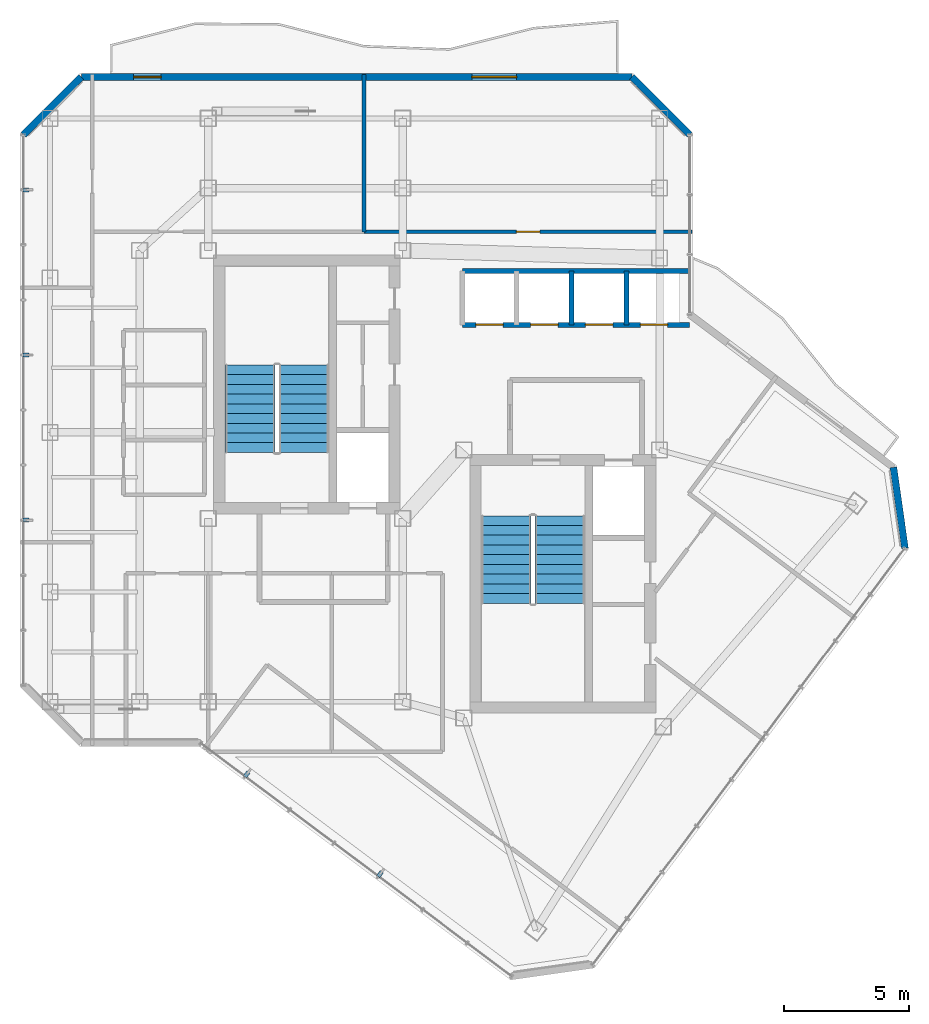
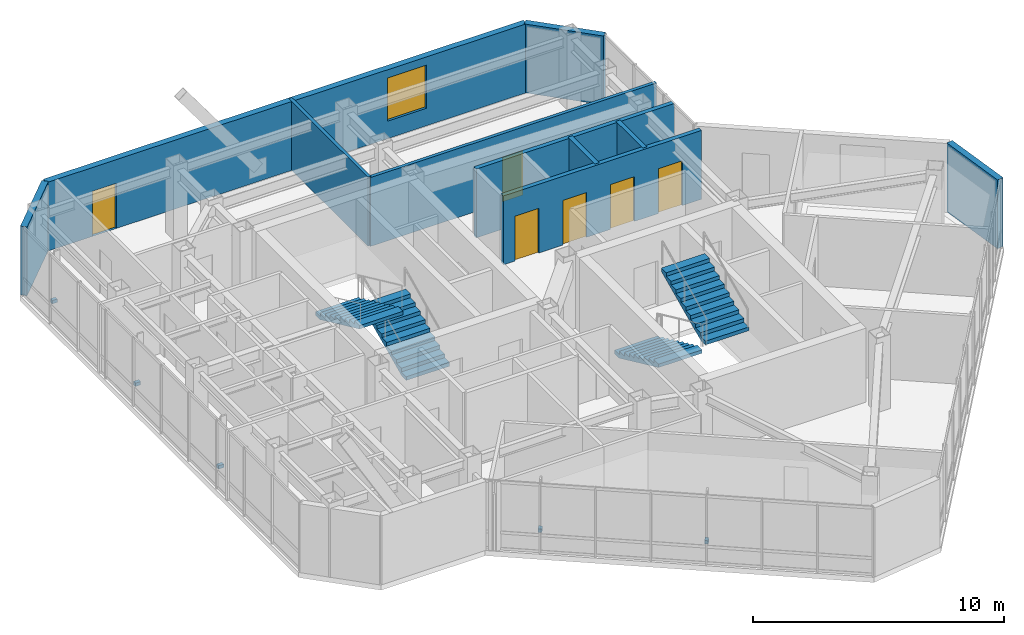
# One storey, part 19 of 22: 10 walls, 6 doors, 5 discrete accessories, 4 stair flights, 1 window, 7 openings, 2 elements without a shape of their own.
"""IFC4 building model written with IfcOpenShell, lengths in metres."""

from ifc_helpers import new_model, si_unit, direction, frame, frame_2d, origin, origin_2d, place, context, subcontext, project, spatial, polyline, rectangle, outline, extrude, material, layer, layer_set, type_object, element, fill, aggregate, save


model = new_model("IFC4")

# Units and contexts
model_context = context("Model", 3, precision=1e-05, world=origin(), true_north=direction((0.0, 1.0)))
body_context = subcontext(model_context, "Body", "Model", "MODEL_VIEW")
ifc_project = project(units=[si_unit("LENGTHUNIT", "METRE"), si_unit("AREAUNIT", "SQUARE_METRE"), si_unit("VOLUMEUNIT", "CUBIC_METRE"), si_unit("PLANEANGLEUNIT", "RADIAN"), si_unit("MASSUNIT", "GRAM", prefix="KILO")], contexts=[model_context])

# Site, building, storey
site_placement = place(None, origin())
site = spatial("IfcSite", under=ifc_project, at=site_placement, CompositionType="ELEMENT")
building_placement = place(site_placement, origin())
building = spatial("IfcBuilding", under=site, at=building_placement, Name="Hatsunagi Terrace Concourse", CompositionType="ELEMENT")
storey_placement = place(building_placement, frame((0.0, 0.0, 243.14990234375)))
storey = spatial("IfcBuildingStorey", under=building, at=storey_placement, Name="L64", CompositionType="ELEMENT", Elevation=243.14990234375)

# Wall
ifc_material_1 = material(Name="Acoustic mineral board", Category="gypsum")
ifc_layer_1 = layer(ifc_material_1, 0.14990234375)
ifc_layer_set_1 = layer_set([ifc_layer_1], Name="PartitionWall_EI60_150")
wall_type_1 = type_object("IfcWallType", Name="PartitionWall_EI60_150", PredefinedType="PARTITIONING", material=ifc_layer_set_1)
wall_1_placement = place(storey_placement, frame((31.800048828125, 44.050048828125, 0.0), z_axis=(0.0, 0.0, 1.0), x_axis=(0.0, 1.0, 0.0)))
element("IfcWall", 1, at=wall_1_placement, inside=storey, type_object=wall_type_1, Name="Interior Partition IW-L64-039", PredefinedType="PARTITIONING", context=body_context, shape_type="SweptSolid", body=[
    extrude(rectangle(XDim=6.31005859375, YDim=0.14990234375, at=frame_2d((3.155029296875, 0.0))), origin(), (0.0, 0.0, 1.0), 3.35009765625),
])

# Wall, opening, door
wall_2_placement = place(storey_placement, frame((31.800048828125, 44.050048828125, 0.0), z_axis=(0.0, 0.0, 1.0), x_axis=(1.0, 0.0, 0.0)))
wall_2 = element("IfcWall", 2, at=wall_2_placement, inside=storey, type_object=wall_type_1, Name="Interior Partition IW-L64-040", PredefinedType="PARTITIONING", context=body_context, shape_type="SweptSolid", body=[
    extrude(rectangle(XDim=13.159912109375, YDim=0.14990234375, at=frame_2d((6.580078125, 0.0))), origin(), (0.0, 0.0, 1.0), 3.35009765625),
])
opening_1_placement = place(wall_2_placement, frame((6.10498046875, 0.0, 0.0)))
opening_1 = element("IfcOpeningElement", 3, at=opening_1_placement, cuts=wall_2, Name="Opening DR-095", PredefinedType="OPENING", context=body_context, shape_type="SweptSolid", body=[
    extrude(rectangle(XDim=0.949951171875, YDim=2.14990234375, at=frame_2d((0.47509765625, 1.074951171875))), frame((0.0, 0.0849609375, 0.0), z_axis=(0.0, -1.0, 0.0), x_axis=(1.0, 0.0, 0.0)), (0.0, 0.0, 1.0), 0.169921875),
])
ifc_material_2 = material(Name="Hardwood timber", Category="wood")
door_type_1 = type_object("IfcDoorType", Name="InteriorSuiteDoor_EI30_950", OperationType="NOTDEFINED", PredefinedType="DOOR", material=ifc_material_2)
door_1_placement = place(opening_1_placement, origin())
door_1 = element("IfcDoor", 4, at=door_1_placement, inside=storey, type_object=door_type_1, Name="Boardroom L64-ON2 Door", OperationType="SINGLE_SWING_LEFT", OverallHeight=2.14990234375, OverallWidth=0.949951171875, PredefinedType="DOOR", context=body_context, shape_type="SweptSolid", body=[
    extrude(rectangle(XDim=0.949951171875, YDim=2.14990234375, at=frame_2d((0.47509765625, 1.074951171875))), frame((0.0, 0.02490234375, 0.0), z_axis=(0.0, -1.0, 0.0), x_axis=(1.0, 0.0, 0.0)), (0.0, 0.0, 1.0), 0.050048828125),
])
fill(opening_1, door_1)

# Walls
ifc_material_3 = material(Name="Acoustic mineral board", Category="gypsum")
ifc_layer_2 = layer(ifc_material_3, 0.199951171875)
ifc_layer_set_2 = layer_set([ifc_layer_2], Name="ShaftWall_EI120_200")
wall_type_2 = type_object("IfcWallType", Name="ShaftWall_EI120_200", PredefinedType="STANDARD", material=ifc_layer_set_2)
wall_3_placement = place(storey_placement, frame((35.75, 42.47998046875, 0.0), z_axis=(0.0, 0.0, 1.0), x_axis=(1.0, 0.0, 0.0)))
element("IfcWall", 5, at=wall_3_placement, inside=storey, type_object=wall_type_2, Name="Interior Partition IW-L64-012", PredefinedType="STANDARD", context=body_context, shape_type="SweptSolid", body=[
    extrude(rectangle(XDim=9.110107421875, YDim=0.199951171875, at=frame_2d((4.55517578125, 0.0))), origin(), (0.0, 0.0, 1.0), 3.35009765625),
])
for number, where, z_axis, x_axis, name in (
    (6, (40.1201171875, 40.320068359375, 0.0), (0.0, 0.0, 1.0), (0.0, 1.0, 0.0), "Interior Partition IW-L64-015"),
    (7, (42.320068359375, 40.320068359375, 0.0), (0.0, 0.0, 1.0), (0.0, 1.0, 0.0), "Interior Partition IW-L64-016"),
):
    element("IfcWall", number, at=place(storey_placement, frame(where, z_axis=z_axis, x_axis=x_axis)), inside=storey, type_object=wall_type_2, Name=name, PredefinedType="STANDARD", context=body_context, shape_type="SweptSolid", body=[
        extrude(rectangle(XDim=2.159912109375, YDim=0.199951171875, at=frame_2d((1.080078125, 0.0))), origin(), (0.0, 0.0, 1.0), 3.35009765625),
    ])

# Wall, openings, doors
wall_4_placement = place(storey_placement, frame((35.75, 40.320068359375, 0.0), z_axis=(0.0, 0.0, 1.0), x_axis=(1.0, 0.0, 0.0)))
wall_4 = element("IfcWall", 8, at=wall_4_placement, inside=storey, type_object=wall_type_2, Name="Interior Partition IW-L64-017", PredefinedType="STANDARD", context=body_context, shape_type="SweptSolid", body=[
    extrude(rectangle(XDim=9.110107421875, YDim=0.199951171875, at=frame_2d((4.55517578125, 0.0))), origin(), (0.0, 0.0, 1.0), 3.35009765625),
])
opening_2_placement = place(wall_4_placement, frame((0.530029296875, 0.0, 0.0)))
opening_2 = element("IfcOpeningElement", 9, at=opening_2_placement, cuts=wall_4, Name="Opening LD-04", PredefinedType="OPENING", context=body_context, shape_type="SweptSolid", body=[
    extrude(rectangle(XDim=1.10009765625, YDim=2.179931640625, at=frame_2d((0.550048828125, 1.08984375))), frame((0.0, 0.10986328125, 0.0), z_axis=(0.0, -1.0, 0.0), x_axis=(1.0, 0.0, 0.0)), (0.0, 0.0, 1.0), 0.219970703125),
])
opening_3_placement = place(wall_4_placement, frame((2.72998046875, 0.0, 0.0)))
opening_3 = element("IfcOpeningElement", 10, at=opening_3_placement, cuts=wall_4, Name="Opening LD-04", PredefinedType="OPENING", context=body_context, shape_type="SweptSolid", body=[
    extrude(rectangle(XDim=1.10009765625, YDim=2.179931640625, at=frame_2d((0.550048828125, 1.08984375))), frame((0.0, 0.10986328125, 0.0), z_axis=(0.0, -1.0, 0.0), x_axis=(1.0, 0.0, 0.0)), (0.0, 0.0, 1.0), 0.219970703125),
])
opening_4_placement = place(wall_4_placement, frame((4.929931640625, 0.0, 0.0)))
opening_4 = element("IfcOpeningElement", 11, at=opening_4_placement, cuts=wall_4, Name="Opening LD-04", PredefinedType="OPENING", context=body_context, shape_type="SweptSolid", body=[
    extrude(rectangle(XDim=1.10009765625, YDim=2.179931640625, at=frame_2d((0.550048828125, 1.08984375))), frame((0.0, 0.10986328125, 0.0), z_axis=(0.0, -1.0, 0.0), x_axis=(1.0, 0.0, 0.0)), (0.0, 0.0, 1.0), 0.219970703125),
])
opening_5_placement = place(wall_4_placement, frame((7.1298828125, 0.0, 0.0)))
opening_5 = element("IfcOpeningElement", 12, at=opening_5_placement, cuts=wall_4, Name="Opening LD-04", PredefinedType="OPENING", context=body_context, shape_type="SweptSolid", body=[
    extrude(rectangle(XDim=1.10009765625, YDim=2.179931640625, at=frame_2d((0.550048828125, 1.08984375))), frame((0.0, 0.10986328125, 0.0), z_axis=(0.0, -1.0, 0.0), x_axis=(1.0, 0.0, 0.0)), (0.0, 0.0, 1.0), 0.219970703125),
])
ifc_material_4 = material(Name="Stainless steel", Category="steel")
door_type_2 = type_object("IfcDoorType", Name="LiftLandingDoor_LD04", OperationType="SLIDING_TO_RIGHT", PredefinedType="USERDEFINED", material=ifc_material_4)
door_2_placement = place(opening_2_placement, origin())
door_2 = element("IfcDoor", 13, at=door_2_placement, inside=storey, type_object=door_type_2, Name="Lift landing door PL-05 L64", ObjectType="SLIDING_LANDING_DOOR", OperationType="SLIDING_TO_RIGHT", OverallHeight=2.179931640625, OverallWidth=1.10009765625, PredefinedType="USERDEFINED", context=body_context, shape_type="SweptSolid", body=[
    extrude(rectangle(XDim=1.10009765625, YDim=2.179931640625, at=frame_2d((0.550048828125, 1.08984375))), frame((0.0, 0.02490234375, 0.0), z_axis=(0.0, -1.0, 0.0), x_axis=(1.0, 0.0, 0.0)), (0.0, 0.0, 1.0), 0.050048828125),
])
fill(opening_2, door_2)
door_3_placement = place(opening_3_placement, origin())
door_3 = element("IfcDoor", 14, at=door_3_placement, inside=storey, type_object=door_type_2, Name="Lift landing door PL-06 L64", ObjectType="SLIDING_LANDING_DOOR", OperationType="SLIDING_TO_RIGHT", OverallHeight=2.179931640625, OverallWidth=1.10009765625, PredefinedType="USERDEFINED", context=body_context, shape_type="SweptSolid", body=[
    extrude(rectangle(XDim=1.10009765625, YDim=2.179931640625, at=frame_2d((0.550048828125, 1.08984375))), frame((0.0, 0.02490234375, 0.0), z_axis=(0.0, -1.0, 0.0), x_axis=(1.0, 0.0, 0.0)), (0.0, 0.0, 1.0), 0.050048828125),
])
fill(opening_3, door_3)
door_4_placement = place(opening_4_placement, origin())
door_4 = element("IfcDoor", 15, at=door_4_placement, inside=storey, type_object=door_type_2, Name="Lift landing door PL-07 L64", ObjectType="SLIDING_LANDING_DOOR", OperationType="SLIDING_TO_RIGHT", OverallHeight=2.179931640625, OverallWidth=1.10009765625, PredefinedType="USERDEFINED", context=body_context, shape_type="SweptSolid", body=[
    extrude(rectangle(XDim=1.10009765625, YDim=2.179931640625, at=frame_2d((0.550048828125, 1.08984375))), frame((0.0, 0.02490234375, 0.0), z_axis=(0.0, -1.0, 0.0), x_axis=(1.0, 0.0, 0.0)), (0.0, 0.0, 1.0), 0.050048828125),
])
fill(opening_4, door_4)
door_5_placement = place(opening_5_placement, origin())
door_5 = element("IfcDoor", 16, at=door_5_placement, inside=storey, type_object=door_type_2, Name="Lift landing door PL-08 L64", ObjectType="SLIDING_LANDING_DOOR", OperationType="SLIDING_TO_RIGHT", OverallHeight=2.179931640625, OverallWidth=1.10009765625, PredefinedType="USERDEFINED", context=body_context, shape_type="SweptSolid", body=[
    extrude(rectangle(XDim=1.10009765625, YDim=2.179931640625, at=frame_2d((0.550048828125, 1.08984375))), frame((0.0, 0.02490234375, 0.0), z_axis=(0.0, -1.0, 0.0), x_axis=(1.0, 0.0, 0.0)), (0.0, 0.0, 1.0), 0.050048828125),
])
fill(opening_5, door_5)

# Walls
ifc_material_5 = material(Name="Autoclaved Lightweight Concrete and Terracotta Cladding", Category="masonry")
ifc_layer_3 = layer(ifc_material_5, 0.280029296875)
ifc_layer_set_3 = layer_set([ifc_layer_3], Name="TerracottaSpandrelWall_280")
wall_type_3 = type_object("IfcWallType", Name="TerracottaSpandrelWall_280", PredefinedType="STANDARD", material=ifc_layer_set_3)
wall_5_placement = place(storey_placement, frame((53.030029296875, 34.60302734375, 0.0), z_axis=(0.0, 0.0, 1.0), x_axis=(0.141212810973, -0.989979263428, 0.0)))
element("IfcWall", 17, at=wall_5_placement, inside=storey, type_object=wall_type_3, Name="Exterior Spandrel Wall EW-L64-02", PredefinedType="STANDARD", context=body_context, shape_type="SweptSolid", body=[
    extrude(rectangle(XDim=3.278076171875, YDim=0.280029296875, at=frame_2d((1.63916015625, 0.0))), origin(), (0.0, 0.0, 1.0), 3.35009765625),
])
wall_6_placement = place(storey_placement, frame((18.139892578125, 47.94189453125, 0.0), z_axis=(0.0, 0.0, 1.0), x_axis=(0.707106781187, 0.707106781187, 0.0)))
element("IfcWall", 18, at=wall_6_placement, inside=storey, type_object=wall_type_3, Name="Exterior Spandrel Wall EW-L64-09", PredefinedType="STANDARD", context=body_context, shape_type="SweptSolid", body=[
    extrude(rectangle(XDim=3.2783203125, YDim=0.280029296875, at=frame_2d((1.63916015625, 0.0))), origin(), (0.0, 0.0, 1.0), 3.35009765625),
])

# Wall, openings, door, window
wall_7_placement = place(storey_placement, frame((20.4580078125, 50.260009765625, 0.0), z_axis=(0.0, 0.0, 1.0), x_axis=(1.0, 0.0, 0.0)))
wall_7 = element("IfcWall", 19, at=wall_7_placement, inside=storey, type_object=wall_type_3, Name="Exterior Spandrel Wall EW-L64-10", PredefinedType="STANDARD", context=body_context, shape_type="SweptSolid", body=[
    extrude(rectangle(XDim=22.083984375, YDim=0.280029296875, at=frame_2d((11.0419921875, 0.0))), origin(), (0.0, 0.0, 1.0), 3.35009765625),
])
opening_6_placement = place(wall_7_placement, frame((2.10009765625, 0.0, 0.0)))
opening_6 = element("IfcOpeningElement", 20, at=opening_6_placement, cuts=wall_7, Name="Opening BD-01", PredefinedType="OPENING", context=body_context, shape_type="SweptSolid", body=[
    extrude(rectangle(XDim=1.10009765625, YDim=2.199951171875, at=frame_2d((0.550048828125, 1.10009765625))), frame((0.0, 0.14990234375, 0.0), z_axis=(0.0, -1.0, 0.0), x_axis=(1.0, 0.0, 0.0)), (0.0, 0.0, 1.0), 0.300048828125),
])
opening_7_placement = place(wall_7_placement, frame((15.6630859375, 0.0, 0.85009765625)))
opening_7 = element("IfcOpeningElement", 21, at=opening_7_placement, cuts=wall_7, Name="Opening WIN-03", PredefinedType="OPENING", context=body_context, shape_type="SweptSolid", body=[
    extrude(rectangle(XDim=1.800048828125, YDim=2.10009765625, at=frame_2d((0.89990234375, 1.050048828125))), frame((0.0, 0.14990234375, 0.0), z_axis=(0.0, -1.0, 0.0), x_axis=(1.0, 0.0, 0.0)), (0.0, 0.0, 1.0), 0.300048828125),
])
ifc_material_6 = material(Name="Galvanised Steel and Laminated Safety Glass", Category="steel")
door_type_3 = type_object("IfcDoorType", Name="BalconyTerraceAccessDoor_1100x2200", OperationType="SINGLE_SWING_LEFT", PredefinedType="DOOR", material=ifc_material_6)
door_6_placement = place(opening_6_placement, origin())
door_6 = element("IfcDoor", 22, at=door_6_placement, inside=storey, type_object=door_type_3, Name="Engawa Balcony Door L64-BN", OperationType="SINGLE_SWING_RIGHT", OverallHeight=2.199951171875, OverallWidth=1.10009765625, PredefinedType="DOOR", context=body_context, shape_type="SweptSolid", body=[
    extrude(rectangle(XDim=1.10009765625, YDim=2.199951171875, at=frame_2d((0.550048828125, 1.10009765625))), frame((0.0, 0.02490234375, 0.0), z_axis=(0.0, -1.0, 0.0), x_axis=(1.0, 0.0, 0.0)), (0.0, 0.0, 1.0), 0.050048828125),
])
fill(opening_6, door_6)
ifc_material_7 = material(Name="Thermally Broken Aluminium and Low-E Triple Glazing", Category="aluminium")
window_type = type_object("IfcWindowType", Name="OfficeCornerFeatureWindow_1800x2100", PartitioningType="SINGLE_PANEL", PredefinedType="WINDOW", material=ifc_material_7)
window_placement = place(opening_7_placement, origin())
window = element("IfcWindow", 23, at=window_placement, inside=storey, type_object=window_type, Name="Balcony Daylighting Window L64-10-2", OverallHeight=2.10009765625, OverallWidth=1.800048828125, PartitioningType="SINGLE_PANEL", PredefinedType="WINDOW", context=body_context, shape_type="SweptSolid", body=[
    extrude(rectangle(XDim=1.800048828125, YDim=2.10009765625, at=frame_2d((0.89990234375, 1.050048828125))), frame((0.0, 0.030029296875, 0.0), z_axis=(0.0, -1.0, 0.0), x_axis=(1.0, 0.0, 0.0)), (0.0, 0.0, 1.0), 0.06005859375),
])
fill(opening_7, window)

# Wall
wall_8_placement = place(storey_placement, frame((42.5419921875, 50.260009765625, 0.0), z_axis=(0.0, 0.0, 1.0), x_axis=(0.707106781187, -0.707106781187, 0.0)))
element("IfcWall", 24, at=wall_8_placement, inside=storey, type_object=wall_type_3, Name="Exterior Spandrel Wall EW-L64-11", PredefinedType="STANDARD", context=body_context, shape_type="SweptSolid", body=[
    extrude(rectangle(XDim=3.2783203125, YDim=0.280029296875, at=frame_2d((1.63916015625, 0.0))), origin(), (0.0, 0.0, 1.0), 3.35009765625),
])

# Stair, stair flights
ifc_material_8 = material(Name="Concrete Fc42", Category="concrete")
stair_type = type_object("IfcStairType", Name="DoglegExitStair_Tower2000_20R_180", PredefinedType="HALF_TURN_STAIR", material=ifc_material_8)
stair_1_placement = place(storey_placement, origin())
stair_1 = element("IfcStair", 25, at=stair_1_placement, inside=storey, type_object=stair_type, Name="L64 Core A Protected Exit Stair ST-A", PredefinedType="HALF_TURN_STAIR")
ifc_material_9 = material(Name="Concrete Fc42", Category="concrete")
stair_flight_type = type_object("IfcStairFlightType", Name="DoglegStairFlight_Tower2000_20R_180", PredefinedType="STRAIGHT", material=ifc_material_9)
stair_flight_1_placement = place(storey_placement, frame((29.3798828125, 35.199951171875, 0.0), z_axis=(0.0, 0.0, 1.0), x_axis=(0.0, 1.0, 0.0)))
stair_flight_1 = element("IfcStairFlight", 26, at=stair_flight_1_placement, type_object=stair_flight_type, Name="ST-A flight 1", NumberOfRisers=10, NumberOfTreads=9, PredefinedType="STRAIGHT", RiserHeight=0.18, TreadLength=0.39, context=body_context, shape_type="SweptSolid", body=[
    extrude(outline(polyline([(0.0, 0.0), (0.0, 0.179931640625), (0.389892578125, 0.179931640625), (0.389892578125, 0.360107421875), (0.780029296875, 0.360107421875), (0.780029296875, 0.5400390625), (1.169921875, 0.5400390625), (1.169921875, 0.719970703125), (1.56005859375, 0.719970703125), (1.56005859375, 0.89990234375), (1.949951171875, 0.89990234375), (1.949951171875, 1.080078125), (2.340087890625, 1.080078125), (2.340087890625, 1.260009765625), (2.72998046875, 1.260009765625), (2.72998046875, 1.43994140625), (3.1201171875, 1.43994140625), (3.1201171875, 1.6201171875), (3.510009765625, 1.6201171875), (3.510009765625, 1.800048828125), (3.510009765625, 1.454833984375), (0.357666015625, 0.0), (0.0, 0.0)])), frame((0.0, 1.0, 0.0), z_axis=(0.0, -1.0, 0.0), x_axis=(1.0, 0.0, 0.0)), (0.0, 0.0, 1.0), 2.0),
])
stair_flight_2_placement = place(storey_placement, frame((27.22998046875, 38.7099609375, 1.800048828125), z_axis=(0.0, 0.0, 1.0), x_axis=(0.0, -1.0, 0.0)))
stair_flight_2 = element("IfcStairFlight", 27, at=stair_flight_2_placement, type_object=stair_flight_type, Name="ST-A flight 2", NumberOfRisers=10, NumberOfTreads=9, PredefinedType="STRAIGHT", RiserHeight=0.18, TreadLength=0.39, context=body_context, shape_type="SweptSolid", body=[
    extrude(outline(polyline([(0.0, 0.0), (0.0, 0.179931640625), (0.389892578125, 0.179931640625), (0.389892578125, 0.360107421875), (0.780029296875, 0.360107421875), (0.780029296875, 0.5400390625), (1.169921875, 0.5400390625), (1.169921875, 0.719970703125), (1.56005859375, 0.719970703125), (1.56005859375, 0.89990234375), (1.949951171875, 0.89990234375), (1.949951171875, 1.080078125), (2.340087890625, 1.080078125), (2.340087890625, 1.260009765625), (2.72998046875, 1.260009765625), (2.72998046875, 1.43994140625), (3.1201171875, 1.43994140625), (3.1201171875, 1.6201171875), (3.510009765625, 1.6201171875), (3.510009765625, 1.800048828125), (3.510009765625, 1.454833984375), (0.357666015625, 0.0), (0.0, 0.0)])), frame((0.0, 1.0, 0.0), z_axis=(0.0, -1.0, 0.0), x_axis=(1.0, 0.0, 0.0)), (0.0, 0.0, 1.0), 2.0),
])
aggregate(stair_1, [stair_flight_1, stair_flight_2])

stair_2_placement = place(storey_placement, origin())
stair_2 = element("IfcStair", 28, at=stair_2_placement, inside=storey, type_object=stair_type, Name="L64 Core B Protected Exit Stair ST-B", PredefinedType="HALF_TURN_STAIR")
stair_flight_3_placement = place(storey_placement, frame((37.5, 32.659912109375, 0.0), z_axis=(0.0, 0.0, 1.0), x_axis=(0.0, -1.0, 0.0)))
stair_flight_3 = element("IfcStairFlight", 29, at=stair_flight_3_placement, type_object=stair_flight_type, Name="ST-B flight 1", NumberOfRisers=10, NumberOfTreads=9, PredefinedType="STRAIGHT", RiserHeight=0.18, TreadLength=0.39, context=body_context, shape_type="SweptSolid", body=[
    extrude(outline(polyline([(0.0, 0.0), (0.0, 0.179931640625), (0.389892578125, 0.179931640625), (0.389892578125, 0.360107421875), (0.780029296875, 0.360107421875), (0.780029296875, 0.5400390625), (1.169921875, 0.5400390625), (1.169921875, 0.719970703125), (1.56005859375, 0.719970703125), (1.56005859375, 0.89990234375), (1.949951171875, 0.89990234375), (1.949951171875, 1.080078125), (2.340087890625, 1.080078125), (2.340087890625, 1.260009765625), (2.72998046875, 1.260009765625), (2.72998046875, 1.43994140625), (3.1201171875, 1.43994140625), (3.1201171875, 1.6201171875), (3.510009765625, 1.6201171875), (3.510009765625, 1.800048828125), (3.510009765625, 1.454833984375), (0.357666015625, 0.0), (0.0, 0.0)])), frame((0.0, 1.0, 0.0), z_axis=(0.0, -1.0, 0.0), x_axis=(1.0, 0.0, 0.0)), (0.0, 0.0, 1.0), 2.0),
])
stair_flight_4_placement = place(storey_placement, frame((39.64990234375, 29.14990234375, 1.800048828125), z_axis=(0.0, 0.0, 1.0), x_axis=(0.0, 1.0, 0.0)))
stair_flight_4 = element("IfcStairFlight", 30, at=stair_flight_4_placement, type_object=stair_flight_type, Name="ST-B flight 2", NumberOfRisers=10, NumberOfTreads=9, PredefinedType="STRAIGHT", RiserHeight=0.18, TreadLength=0.39, context=body_context, shape_type="SweptSolid", body=[
    extrude(outline(polyline([(0.0, 0.0), (0.0, 0.179931640625), (0.389892578125, 0.179931640625), (0.389892578125, 0.360107421875), (0.780029296875, 0.360107421875), (0.780029296875, 0.5400390625), (1.169921875, 0.5400390625), (1.169921875, 0.719970703125), (1.56005859375, 0.719970703125), (1.56005859375, 0.89990234375), (1.949951171875, 0.89990234375), (1.949951171875, 1.080078125), (2.340087890625, 1.080078125), (2.340087890625, 1.260009765625), (2.72998046875, 1.260009765625), (2.72998046875, 1.43994140625), (3.1201171875, 1.43994140625), (3.1201171875, 1.6201171875), (3.510009765625, 1.6201171875), (3.510009765625, 1.800048828125), (3.510009765625, 1.454833984375), (0.357666015625, 0.0), (0.0, 0.0)])), frame((0.0, 1.0, 0.0), z_axis=(0.0, -1.0, 0.0), x_axis=(1.0, 0.0, 0.0)), (0.0, 0.0, 1.0), 2.0),
])
aggregate(stair_2, [stair_flight_3, stair_flight_4])

# Discrete accessories
ifc_material_10 = material(Name="Stainless Steel SUS316 Bracket", Category="steel")
discrete_accessory_type = type_object("IfcDiscreteAccessoryType", Name="FacadeScreenSupportBracket_SS", PredefinedType="BRACKET", material=ifc_material_10)
for number, where, z_axis, x_axis, name in (
    (31, (32.43896484375, 18.282958984375, 0.97021484375), (0.0, 0.0, 1.0), (-0.800007305671, 0.599990258982, 0.0), "Terracotta Screen Bracket BRK-01"),
    (32, (27.094970703125, 22.2919921875, 0.97021484375), (0.0, 0.0, 1.0), (-0.800007305671, 0.599990258982, 0.0), "Terracotta Screen Bracket BRK-01"),
    (33, (18.25, 32.48291015625, 0.97021484375), (0.0, 0.0, 1.0), (0.0, 1.0, 0.0), "Terracotta Screen Bracket BRK-01"),
    (34, (18.25, 39.10791015625, 0.97021484375), (0.0, 0.0, 1.0), (0.0, 1.0, 0.0), "Terracotta Screen Bracket BRK-01"),
    (35, (18.25, 45.73388671875, 0.97021484375), (0.0, 0.0, 1.0), (0.0, 1.0, 0.0), "Terracotta Screen Bracket BRK-01"),
):
    element("IfcDiscreteAccessory", number, at=place(storey_placement, frame(where, z_axis=z_axis, x_axis=x_axis)), inside=storey, type_object=discrete_accessory_type, Name=name, PredefinedType="BRACKET", context=body_context, shape_type="SweptSolid", body=[
        extrude(rectangle(XDim=0.159912109375, YDim=0.239990234375, at=origin_2d()), origin(), (0.0, 0.0, 1.0), 0.159912109375),
    ])

save(model, "model.ifc")
